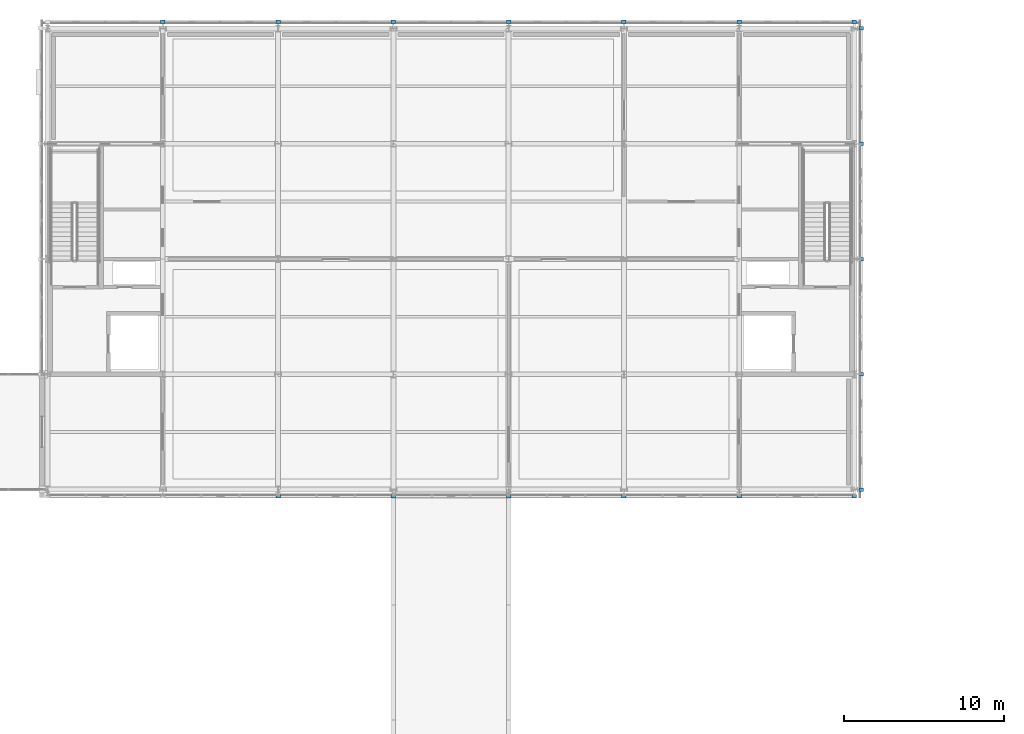
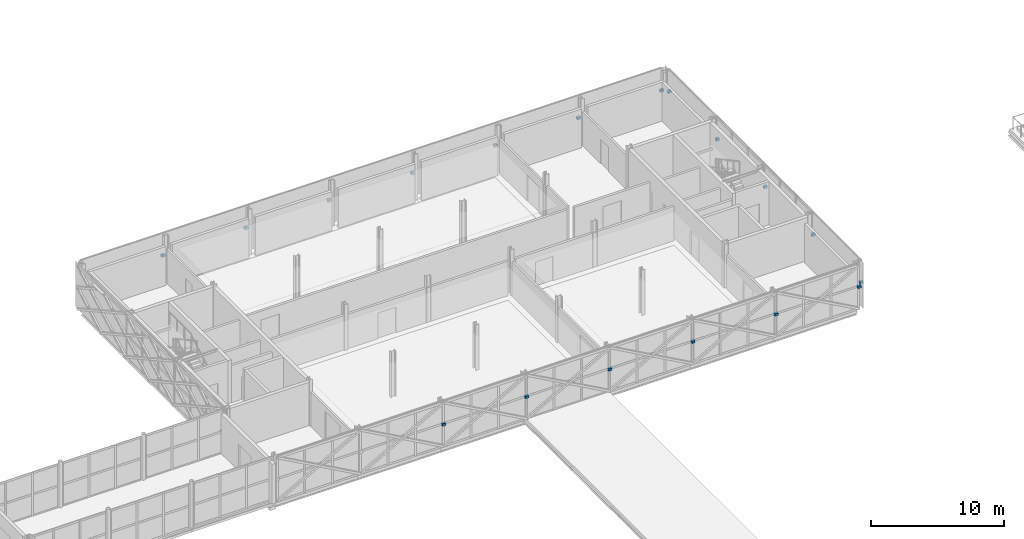
# One storey, part 114 of 126: 18 discrete accessories.
"""IFC4 building model written with IfcOpenShell, lengths in metres."""

from ifc_helpers import new_model, si_unit, direction, frame, origin, origin_2d, place, context, subcontext, project, spatial, rectangle, extrude, material, type_object, element, save


model = new_model("IFC4")

# Units and contexts
model_context = context("Model", 3, precision=1e-05, world=origin(), true_north=direction((0.0, 1.0)))
body_context = subcontext(model_context, "Body", "Model", "MODEL_VIEW")
ifc_project = project(units=[si_unit("LENGTHUNIT", "METRE"), si_unit("AREAUNIT", "SQUARE_METRE"), si_unit("VOLUMEUNIT", "CUBIC_METRE"), si_unit("PLANEANGLEUNIT", "RADIAN"), si_unit("MASSUNIT", "GRAM", prefix="KILO")], contexts=[model_context])

# Site, building, storey
site_placement = place(None, origin())
site = spatial("IfcSite", under=ifc_project, at=site_placement, CompositionType="ELEMENT")
building_placement = place(site_placement, origin())
building = spatial("IfcBuilding", under=site, at=building_placement, Name="Zlatovets Crest Museum", CompositionType="ELEMENT")
storey_placement = place(building_placement, frame((0.0, 0.0, 8.699951171875)))
storey = spatial("IfcBuildingStorey", under=building, at=storey_placement, Name="L02", CompositionType="ELEMENT", Elevation=8.699951171875)

# Discrete accessories
ifc_material = material(Name="Structural steel S355J2", Category="steel")
discrete_accessory_type = type_object("IfcDiscreteAccessoryType", Name="LatticeBracket_BK01", PredefinedType="BRACKET", material=ifc_material)
for number, where, z_axis, x_axis, name in (
    (1, (72.0, 85.97998046875, 1.990234375), (0.0, 0.0, 1.0), (1.0, 0.0, 0.0), "Bronze Lattice Structural Collector Bracket"),
    (2, (79.199951171875, 85.97998046875, 1.990234375), (0.0, 0.0, 1.0), (1.0, 0.0, 0.0), "Bronze Lattice Structural Collector Bracket"),
    (3, (86.39990234375, 85.97998046875, 1.990234375), (0.0, 0.0, 1.0), (1.0, 0.0, 0.0), "Bronze Lattice Structural Collector Bracket"),
    (4, (93.60009765625, 85.97998046875, 1.990234375), (0.0, 0.0, 1.0), (1.0, 0.0, 0.0), "Bronze Lattice Structural Collector Bracket"),
    (5, (100.800048828125, 85.97998046875, 1.990234375), (0.0, 0.0, 1.0), (1.0, 0.0, 0.0), "Bronze Lattice Structural Collector Bracket"),
    (6, (108.0, 85.97998046875, 1.990234375), (0.0, 0.0, 1.0), (1.0, 0.0, 0.0), "Bronze Lattice Structural Collector Bracket"),
    (7, (108.419921875, 86.39990234375, 1.990234375), (0.0, 0.0, 1.0), (1.0, 0.0, 0.0), "Bronze Lattice Structural Collector Bracket"),
    (8, (108.419921875, 93.60009765625, 1.990234375), (0.0, 0.0, 1.0), (1.0, 0.0, 0.0), "Bronze Lattice Structural Collector Bracket"),
    (9, (108.419921875, 100.800048828125, 1.990234375), (0.0, 0.0, 1.0), (1.0, 0.0, 0.0), "Bronze Lattice Structural Collector Bracket"),
    (10, (108.419921875, 108.0, 1.990234375), (0.0, 0.0, 1.0), (1.0, 0.0, 0.0), "Bronze Lattice Structural Collector Bracket"),
    (11, (108.419921875, 115.199951171875, 1.990234375), (0.0, 0.0, 1.0), (1.0, 0.0, 0.0), "Bronze Lattice Structural Collector Bracket"),
    (12, (108.0, 115.6201171875, 1.990234375), (0.0, 0.0, 1.0), (1.0, 0.0, 0.0), "Bronze Lattice Structural Collector Bracket"),
    (13, (100.800048828125, 115.6201171875, 1.990234375), (0.0, 0.0, 1.0), (1.0, 0.0, 0.0), "Bronze Lattice Structural Collector Bracket"),
    (14, (93.60009765625, 115.6201171875, 1.990234375), (0.0, 0.0, 1.0), (1.0, 0.0, 0.0), "Bronze Lattice Structural Collector Bracket"),
    (15, (86.39990234375, 115.6201171875, 1.990234375), (0.0, 0.0, 1.0), (1.0, 0.0, 0.0), "Bronze Lattice Structural Collector Bracket"),
    (16, (79.199951171875, 115.6201171875, 1.990234375), (0.0, 0.0, 1.0), (1.0, 0.0, 0.0), "Bronze Lattice Structural Collector Bracket"),
    (17, (72.0, 115.6201171875, 1.990234375), (0.0, 0.0, 1.0), (1.0, 0.0, 0.0), "Bronze Lattice Structural Collector Bracket"),
    (18, (64.800048828125, 115.6201171875, 1.990234375), (0.0, 0.0, 1.0), (1.0, 0.0, 0.0), "Bronze Lattice Structural Collector Bracket"),
):
    element("IfcDiscreteAccessory", number, at=place(storey_placement, frame(where, z_axis=z_axis, x_axis=x_axis)), inside=storey, type_object=discrete_accessory_type, Name=name, PredefinedType="BRACKET", context=body_context, shape_type="SweptSolid", body=[
        extrude(rectangle(XDim=0.280029296875, YDim=0.219970703125, at=origin_2d()), origin(), (0.0, 0.0, 1.0), 0.219970703125),
    ])

save(model, "model.ifc")
